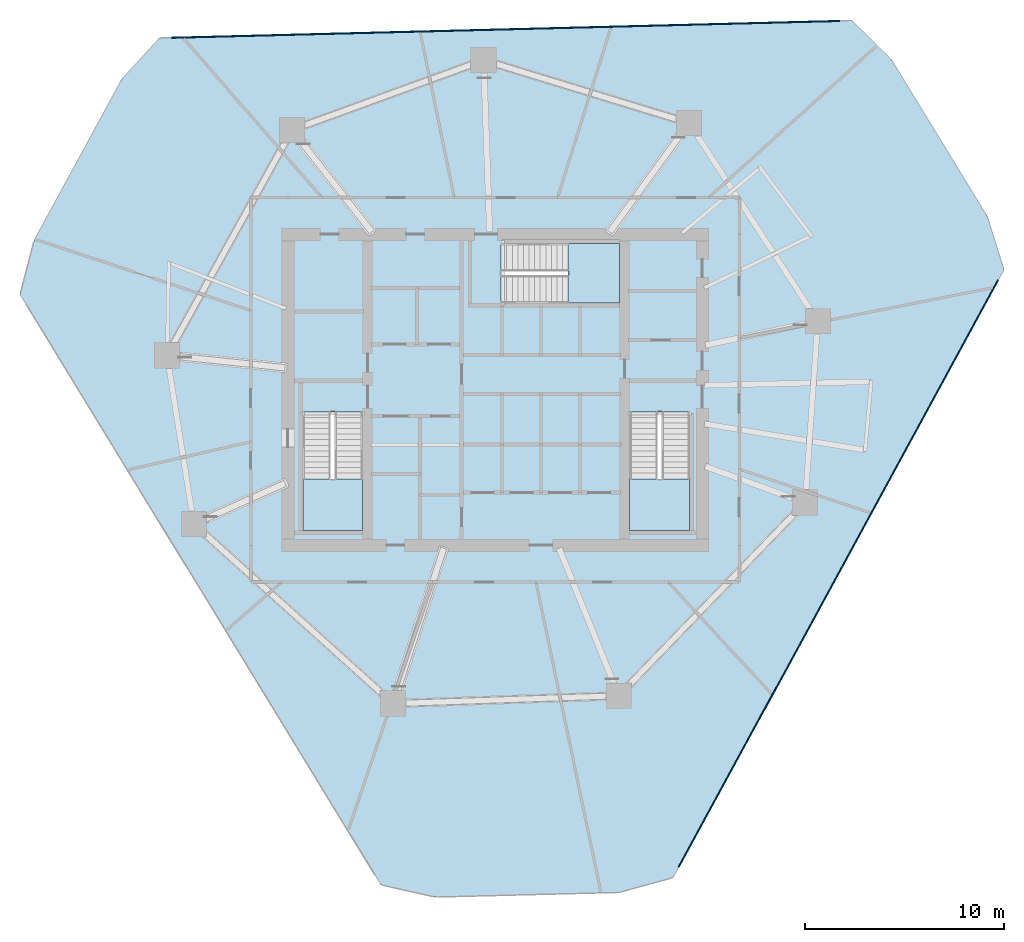
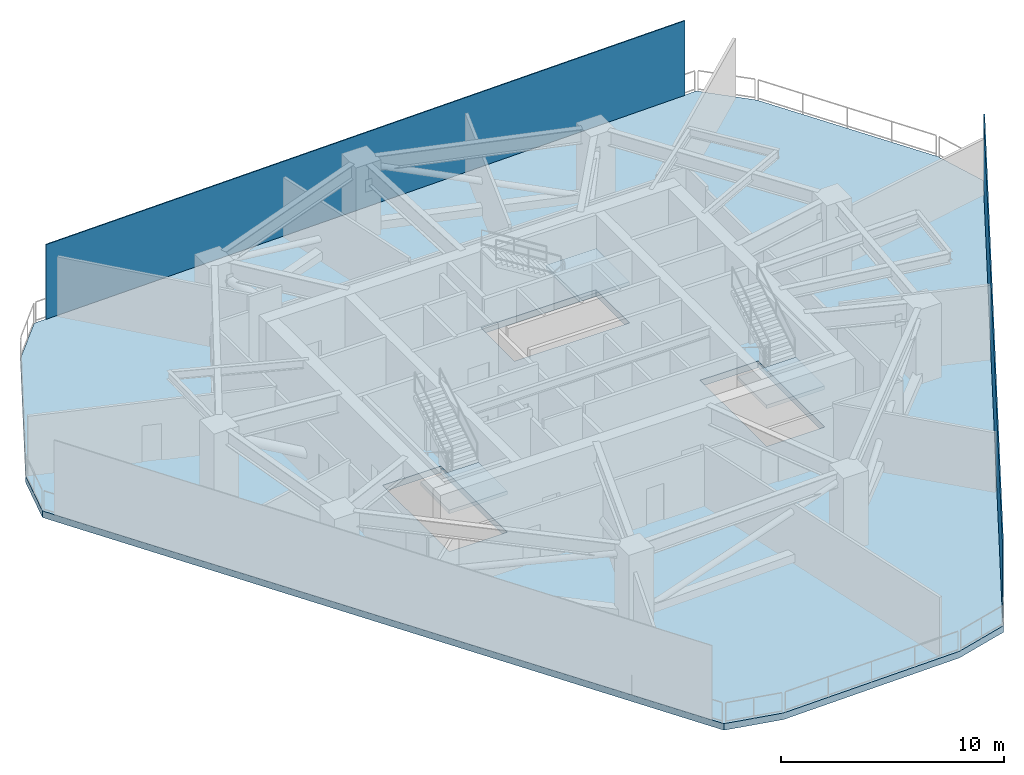
# One storey, part 2 of 7: 4 slabs, 2 plates, 3 elements without a shape of their own.
"""IFC4 building model written with IfcOpenShell, lengths in metres."""

from ifc_helpers import new_model, si_unit, direction, frame, origin, origin_2d, place, context, subcontext, project, spatial, polyline, rectangle, outline, extrude, material, layer, layer_set, type_object, element, aggregate, save


model = new_model("IFC4")

# Units and contexts
model_context = context("Model", 3, precision=1e-05, world=origin(), true_north=direction((0.0, 1.0)))
body_context = subcontext(model_context, "Body", "Model", "MODEL_VIEW")
ifc_project = project(units=[si_unit("LENGTHUNIT", "METRE"), si_unit("AREAUNIT", "SQUARE_METRE"), si_unit("VOLUMEUNIT", "CUBIC_METRE"), si_unit("PLANEANGLEUNIT", "RADIAN"), si_unit("MASSUNIT", "GRAM", prefix="KILO")], contexts=[model_context])

# Site, building, storey
site_placement = place(None, origin())
site = spatial("IfcSite", under=ifc_project, at=site_placement, CompositionType="ELEMENT")
building_placement = place(site_placement, origin())
building = spatial("IfcBuilding", under=site, at=building_placement, Name="Qarnah Convention Tower", CompositionType="ELEMENT")
storey_placement = place(building_placement, frame((0.0, 0.0, 71.85009765625)))
storey = spatial("IfcBuildingStorey", under=building, at=storey_placement, Name="L18", CompositionType="ELEMENT", Elevation=71.85009765625)

# Plates
ifc_material_1 = material(Name="Black anodised aluminium", Category="aluminium")
ifc_layer_1 = layer(ifc_material_1, 0.054931640625)
ifc_layer_set_1 = layer_set([ifc_layer_1], Name="Black anodised aluminium")
plate_type = type_object("IfcPlateType", Name="SCR-SKG-24", PredefinedType="USERDEFINED", material=ifc_layer_set_1)
plate_1_placement = place(storey_placement, frame((54.427978515625, 17.180908203125, -0.000244140625), z_axis=(0.0, 0.0, 1.0), x_axis=(-0.478071128809, -0.878321123394, 0.0)))
element("IfcPlate", 1, at=plate_1_placement, inside=storey, type_object=plate_type, Name="L18 mechanical plant acoustic solar screen 1", ObjectType="SCREEN", PredefinedType="USERDEFINED", context=body_context, shape_type="SweptSolid", body=[
    extrude(rectangle(XDim=33.52099609375, YDim=0.054931640625, at=origin_2d()), origin(), (0.0, 0.0, 1.0), 4.080078125),
])
plate_2_placement = place(storey_placement, frame((37.72802734375, 44.49609375, -0.000244140625), z_axis=(0.0, 0.0, 1.0), x_axis=(0.999683838304, 0.025144053665, 0.0)))
element("IfcPlate", 2, at=plate_2_placement, inside=storey, type_object=plate_type, Name="L18 mechanical plant acoustic solar screen 3", ObjectType="SCREEN", PredefinedType="USERDEFINED", context=body_context, shape_type="SweptSolid", body=[
    extrude(rectangle(XDim=33.52001953125, YDim=0.054931640625, at=origin_2d()), origin(), (0.0, 0.0, 1.0), 4.080078125),
])

# Stair, slab
ifc_material_2 = material(Name="Concrete C50/60", Category="concrete")
stair_type = type_object("IfcStairType", Name="STR-PLT", PredefinedType="HALF_TURN_STAIR", material=ifc_material_2)
stair_1_placement = place(storey_placement, origin())
stair_1 = element("IfcStair", 3, at=stair_1_placement, inside=storey, type_object=stair_type, Name="L18 Core exit stair ST-1", PredefinedType="HALF_TURN_STAIR")
ifc_layer_2 = layer(ifc_material_2, 0.199951171875)
ifc_layer_set_2 = layer_set([ifc_layer_2], Name="Concrete C50/60")
slab_type_1 = type_object("IfcSlabType", Name="SLB-LANDING-200", PredefinedType="LANDING", material=ifc_layer_set_2)
slab_1_placement = place(storey_placement, frame((0.0, 0.0, 2.0498046875)))
slab_1 = element("IfcSlab", 4, at=slab_1_placement, type_object=slab_type_1, Name="ST-1 landing 1", PredefinedType="LANDING", context=body_context, shape_type="SweptSolid", body=[
    extrude(outline(polyline([(27.550048828125, 21.93994140625), (27.550048828125, 19.35009765625), (30.550048828125, 19.35009765625), (30.550048828125, 21.93994140625), (27.550048828125, 21.93994140625)])), origin(), (0.0, 0.0, 1.0), 0.2001953125),
])
aggregate(stair_1, [slab_1])

stair_2_placement = place(storey_placement, origin())
stair_2 = element("IfcStair", 5, at=stair_2_placement, inside=storey, type_object=stair_type, Name="L18 Core exit stair ST-2", PredefinedType="HALF_TURN_STAIR")
slab_2_placement = place(storey_placement, frame((0.0, 0.0, 2.0498046875)))
slab_2 = element("IfcSlab", 6, at=slab_2_placement, type_object=slab_type_1, Name="ST-2 landing 1", PredefinedType="LANDING", context=body_context, shape_type="SweptSolid", body=[
    extrude(outline(polyline([(43.949951171875, 21.93994140625), (43.949951171875, 19.35009765625), (46.949951171875, 19.35009765625), (46.949951171875, 21.93994140625), (43.949951171875, 21.93994140625)])), origin(), (0.0, 0.0, 1.0), 0.2001953125),
])
aggregate(stair_2, [slab_2])

stair_3_placement = place(storey_placement, origin())
stair_3 = element("IfcStair", 7, at=stair_3_placement, inside=storey, type_object=stair_type, Name="L18 Core exit stair ST-3", PredefinedType="HALF_TURN_STAIR")
slab_3_placement = place(storey_placement, frame((0.0, 0.0, 2.0498046875)))
slab_3 = element("IfcSlab", 8, at=slab_3_placement, type_object=slab_type_1, Name="ST-3 landing 1", PredefinedType="LANDING", context=body_context, shape_type="SweptSolid", body=[
    extrude(outline(polyline([(40.860107421875, 30.75), (43.449951171875, 30.75), (43.449951171875, 33.75), (40.860107421875, 33.75), (40.860107421875, 30.75)])), origin(), (0.0, 0.0, 1.0), 0.2001953125),
])
aggregate(stair_3, [slab_3])

# Slab
ifc_layer_3 = layer(ifc_material_2, 0.360107421875)
ifc_layer_set_3 = layer_set([ifc_layer_3], Name="Concrete C50/60")
slab_type_2 = type_object("IfcSlabType", Name="SLB-PLT-360", PredefinedType="FLOOR", material=ifc_layer_set_3)
slab_4_placement = place(storey_placement, frame((0.0, 0.0, -0.360107421875)))
element("IfcSlab", 9, at=slab_4_placement, inside=storey, type_object=slab_type_2, Name="L18 structural floor slab", PredefinedType="FLOOR", context=body_context, shape_type="SweptSolid", body=[
    extrude(outline(polyline([(55.0830078125, 44.93310546875), (20.3740234375, 44.06005859375), (18.47998046875, 41.998046875), (14.071044921875, 33.89794921875), (13.366943359375, 31.18798828125), (31.47802734375, 1.56494140625), (34.2099609375, 0.9560546875), (43.429931640625, 1.18798828125), (46.12890625, 1.93310546875), (62.72802734375, 32.428955078125), (61.888916015625, 35.10009765625), (57.077880859375, 42.968017578125), (55.0830078125, 44.93310546875)]), holes=[polyline([(27.550048828125, 25.300048828125), (27.550048828125, 19.35009765625), (30.550048828125, 19.35009765625), (30.550048828125, 25.300048828125), (27.550048828125, 25.300048828125)]), polyline([(43.949951171875, 25.300048828125), (43.949951171875, 19.35009765625), (46.949951171875, 19.35009765625), (46.949951171875, 25.300048828125), (43.949951171875, 25.300048828125)]), polyline([(37.5, 30.75), (43.449951171875, 30.75), (43.449951171875, 33.75), (37.5, 33.75), (37.5, 30.75)])]), origin(), (0.0, 0.0, 1.0), 0.360107421875),
])

save(model, "model.ifc")
